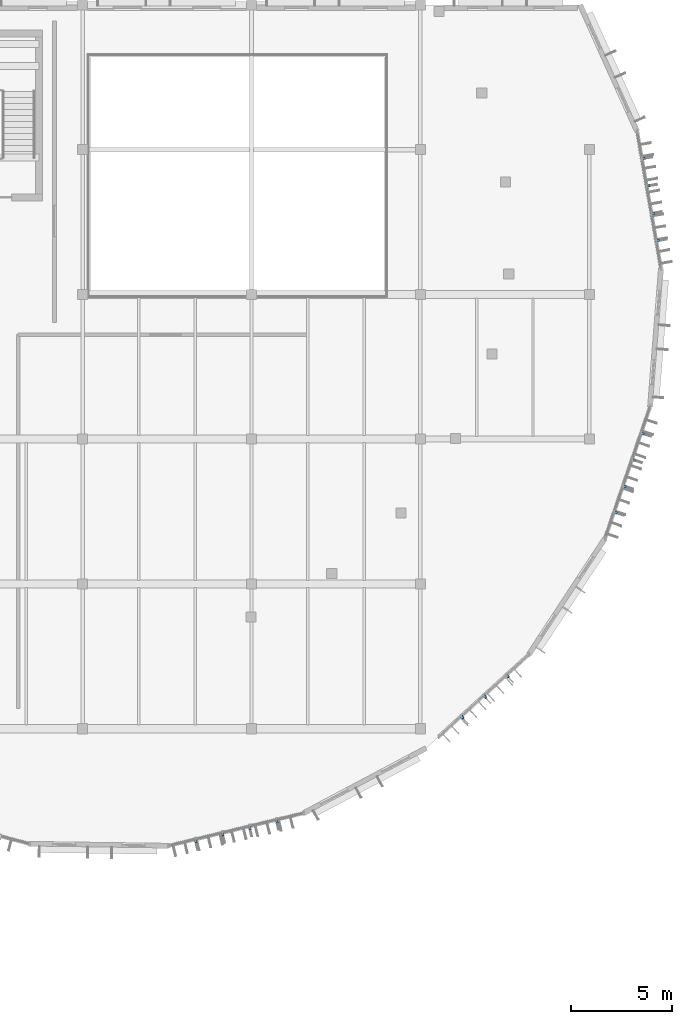
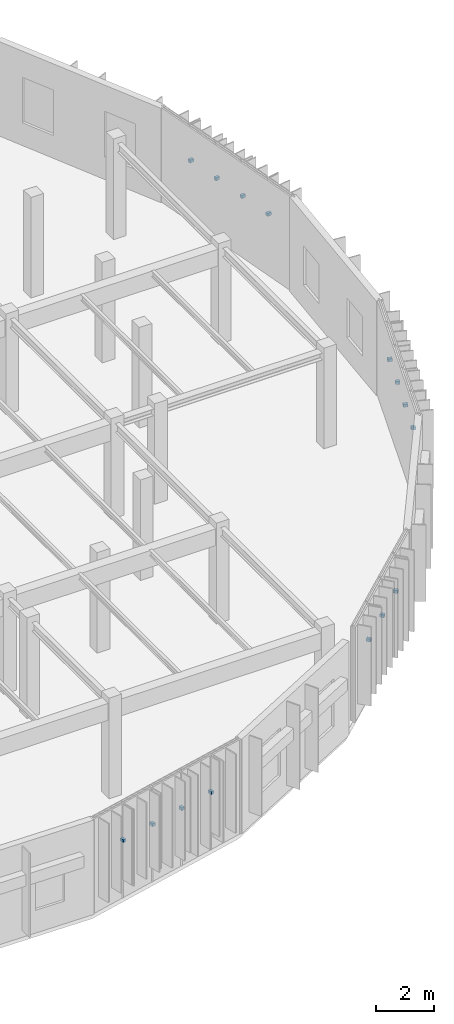
# One storey, part 58 of 122: 15 discrete accessories.
"""IFC4 building model written with IfcOpenShell, lengths in metres."""

import ifcopenshell
import ifcopenshell.guid

model = None  # the IFC model being written
_history = None  # IfcOwnerHistory: only IFC2X3 demands one
_inside = {}  # id of a spatial element -> (the spatial element, [elements in it])
_under = {}  # id of a project, library or spatial element -> (it, [spatial elements below it])
_declared = {}  # id of a project -> (the project, [libraries it declares])
_typed = {}  # id of a type object -> (the type object, [elements of that type])
_made_of = {}  # id of a material, layer set ... -> (it, [elements and type objects made of it])


def new_model(schema):
    """Start an empty IFC model of exactly this schema.

    Asked for "IFC4X3", IfcOpenShell would pick the latest addendum, in which some entities
    have other attributes; the version numbers below select the first issue.
    IFC2X3 requires an IfcOwnerHistory on every rooted entity: one is made here for all.
    """
    global model, _history
    if schema == "IFC4X3":
        model = ifcopenshell.file(schema_version=(4, 3, 0, 0))
    else:
        model = ifcopenshell.file(schema=schema)
    _inside.clear()
    _under.clear()
    _declared.clear()
    _typed.clear()
    _made_of.clear()
    _history = None
    if model.schema == "IFC2X3":
        org = make("IfcOrganization", Name="unknown")
        user = make(
            "IfcPersonAndOrganization",
            ThePerson=make("IfcPerson", FamilyName="unknown"),
            TheOrganization=org,
        )
        app = make(
            "IfcApplication",
            ApplicationDeveloper=org,
            Version="unknown",
            ApplicationFullName="unknown",
            ApplicationIdentifier="unknown",
        )
        _history = make(
            "IfcOwnerHistory",
            OwningUser=user,
            OwningApplication=app,
            ChangeAction="ADDED",
            CreationDate=0,
        )
    return model


def make(cls, **values):
    """One entity of the class cls with the attributes given. An attribute that is None is left unset."""
    return model.create_entity(
        cls, **{name: value for name, value in values.items() if value is not None}
    )


def rooted(cls, **values):
    """An entity with a GlobalId (a new one), such as an element, a storey or a relation."""
    return make(cls, GlobalId=ifcopenshell.guid.new(), OwnerHistory=_history, **values)


def si_unit(unit_type, name, prefix=None):
    """IfcSIUnit, for example si_unit("LENGTHUNIT", "METRE", prefix="MILLI")."""
    return make("IfcSIUnit", UnitType=unit_type, Prefix=prefix, Name=name)


def assignment(units):
    """IfcUnitAssignment: the units of a project."""
    return None if units is None else make("IfcUnitAssignment", Units=units)


def point(xyz):
    """IfcCartesianPoint."""
    return None if xyz is None else make("IfcCartesianPoint", Coordinates=xyz)


def direction(xyz):
    """IfcDirection."""
    return None if xyz is None else make("IfcDirection", DirectionRatios=xyz)


def frame(location, z_axis=None, x_axis=None):
    """IfcAxis2Placement3D, a coordinate frame: its origin and axes. An axis left out is left unset."""
    return make(
        "IfcAxis2Placement3D",
        Location=point(location),
        Axis=direction(z_axis),
        RefDirection=direction(x_axis),
    )


def frame_2d(location, x_axis=None):
    """IfcAxis2Placement2D, a coordinate frame in the plane: its origin and x axis."""
    return make(
        "IfcAxis2Placement2D", Location=point(location), RefDirection=direction(x_axis)
    )


def origin():
    """The frame at (0, 0, 0) with its axes left unset."""
    return frame((0.0, 0.0, 0.0))


def origin_2d():
    """The frame at (0, 0) in the plane with its x axis left unset."""
    return frame_2d((0.0, 0.0))


def place(relative_to, where):
    """IfcLocalPlacement: puts the frame where relative to a parent placement (None: the world)."""
    return make(
        "IfcLocalPlacement", PlacementRelTo=relative_to, RelativePlacement=where
    )


def context(
    kind, dimensions, precision=None, world=None, true_north=None, identifier=None
):
    """IfcGeometricRepresentationContext, for example the 3D "Model" context."""
    return make(
        "IfcGeometricRepresentationContext",
        ContextIdentifier=identifier,
        ContextType=kind,
        CoordinateSpaceDimension=dimensions,
        Precision=precision,
        WorldCoordinateSystem=world,
        TrueNorth=true_north,
    )


def subcontext(parent, identifier, kind, view, scale=None):
    """IfcGeometricRepresentationSubContext, for example "Body" below "Model"."""
    return make(
        "IfcGeometricRepresentationSubContext",
        ContextIdentifier=identifier,
        ContextType=kind,
        ParentContext=parent,
        TargetScale=scale,
        TargetView=view,
    )


def project(units=None, contexts=None):
    """IfcProject with its units and contexts."""
    return rooted(
        "IfcProject",
        Name="project",
        RepresentationContexts=contexts,
        UnitsInContext=assignment(units),
    )


def spatial(cls, under=None, at=None, **own):
    """A site, building, storey or space (cls), placed at a placement, below another one or the project."""
    s = rooted(cls, ObjectPlacement=at, **own)
    if under is not None:
        _under.setdefault(under.id(), (under, []))[1].append(s)
    return s


def profile(cls, at=None, kind="AREA", **sizes):
    """A parametric profile (cls). Its sizes go by their IFC names, for example OverallWidth=200.0."""
    return make(cls, ProfileType=kind, Position=at, **sizes)


def rectangle(**sizes):
    """IfcRectangleProfileDef."""
    return profile("IfcRectangleProfileDef", **sizes)


def extrude(swept, where, along, depth):
    """IfcExtrudedAreaSolid: the profile swept, set in the frame where, extruded along a direction by depth."""
    return make(
        "IfcExtrudedAreaSolid",
        SweptArea=swept,
        Position=where,
        ExtrudedDirection=direction(along),
        Depth=depth,
    )


def shape(context_of_items, identifier, shape_type, items):
    """IfcShapeRepresentation: the items that make up one representation, for example the "Body"."""
    return make(
        "IfcShapeRepresentation",
        ContextOfItems=context_of_items,
        RepresentationIdentifier=identifier,
        RepresentationType=shape_type,
        Items=items,
    )


def material(Name=None, Category=None):
    """IfcMaterial."""
    return make("IfcMaterial", Name=Name, Category=Category)


def made_of(thing, what):
    """Note that an element or type object is made of a material, layer set ...; save() writes the relation."""
    if what is not None:
        _made_of.setdefault(what.id(), (what, []))[1].append(thing)
    return thing


def type_object(cls, material=None, **own):
    """A type object (cls), such as IfcWallType, which elements share."""
    return made_of(rooted(cls, **own), material)


def element(
    cls,
    number,
    at=None,
    inside=None,
    cuts=None,
    type_object=None,
    material=None,
    context=None,
    identifier="Body",
    shape_type=None,
    held_by="IfcProductDefinitionShape",
    body=None,
    shapes=None,
    **own,
):
    """One element of the class cls, such as IfcWall. Its Tag is "e" and its number.

    at: its placement. inside: the storey or other place that contains it. cuts: it is an
    opening in that element (IfcRelVoidsElement). A single representation is given by context,
    identifier, shape_type and body (its items); several are given by shapes. held_by: the class
    of the entity that holds the representations. save() writes the other relations.
    """
    e = rooted(cls, Tag="e%d" % number, ObjectPlacement=at, **own)
    if body is not None:
        shapes = [shape(context, identifier, shape_type, body)]
    if shapes is not None:
        e.Representation = make(held_by, Representations=shapes)
    if inside is not None:
        _inside.setdefault(inside.id(), (inside, []))[1].append(e)
    if cuts is not None:
        rooted(
            "IfcRelVoidsElement", RelatingBuildingElement=cuts, RelatedOpeningElement=e
        )
    if type_object is not None:
        _typed.setdefault(type_object.id(), (type_object, []))[1].append(e)
    return made_of(e, material)


def aggregate(whole, parts):
    """IfcRelAggregates: a whole, such as a stair, and the parts it consists of."""
    return rooted("IfcRelAggregates", RelatingObject=whole, RelatedObjects=parts)


def save(model, path):
    """Write the relations noted so far, then the file.

    IfcRelAggregates (storeys below a building ...), IfcRelContainedInSpatialStructure (elements
    in a storey), IfcRelDefinesByType, IfcRelAssociatesMaterial and IfcRelDeclares: one each for
    every whole, place, type object, material and project.
    """
    for whole, parts in _under.values():
        aggregate(whole, parts)
    for where, things in _inside.values():
        rooted(
            "IfcRelContainedInSpatialStructure",
            RelatedElements=things,
            RelatingStructure=where,
        )
    for kind, things in _typed.values():
        rooted("IfcRelDefinesByType", RelatedObjects=things, RelatingType=kind)
    for what, things in _made_of.values():
        rooted("IfcRelAssociatesMaterial", RelatedObjects=things, RelatingMaterial=what)
    for by, libraries in _declared.values():
        rooted("IfcRelDeclares", RelatingContext=by, RelatedDefinitions=libraries)
    model.write(path)


model = new_model("IFC4")

# Units and contexts
model_context = context("Model", 3, precision=1e-05, world=origin(), true_north=direction((0.0, 1.0)))
body_context = subcontext(model_context, "Body", "Model", "MODEL_VIEW")
ifc_project = project(units=[si_unit("LENGTHUNIT", "METRE"), si_unit("AREAUNIT", "SQUARE_METRE"), si_unit("VOLUMEUNIT", "CUBIC_METRE"), si_unit("PLANEANGLEUNIT", "RADIAN"), si_unit("MASSUNIT", "GRAM", prefix="KILO")], contexts=[model_context])

# Site, building, storey
site_placement = place(None, origin())
site = spatial("IfcSite", under=ifc_project, at=site_placement, CompositionType="ELEMENT")
building_placement = place(site_placement, origin())
building = spatial("IfcBuilding", under=site, at=building_placement, Name="Tazoul Stagehouse", CompositionType="ELEMENT")
storey_placement = place(building_placement, frame((0.0, 0.0, 4.800048828125)))
storey = spatial("IfcBuildingStorey", under=building, at=storey_placement, Name="L01", CompositionType="ELEMENT", Elevation=4.800048828125)

# Discrete accessories
ifc_material = material(Name="Austenitic Stainless Steel EN 1.4401", Category="steel")
discrete_accessory_type = type_object("IfcDiscreteAccessoryType", Name="Stainless Steel Louvre Support Cleat Bracket", PredefinedType="BRACKET", material=ifc_material)
for number, where, z_axis, x_axis, name in (
    (1, (139.430908203125, 17.417724609375, 2.3486328125), (0.0, 0.0, 1.0), (0.972063098492, 0.234719689311, 0.0), "Cleat Bracket BRK-01 CW-V4-DRUM-L01-S03-BRK01"),
    (2, (140.774169921875, 17.7421875, 2.3486328125), (0.0, 0.0, 1.0), (0.972063098492, 0.234719689311, 0.0), "Cleat Bracket BRK-01 CW-V4-DRUM-L01-S03-BRK02"),
    (3, (142.11767578125, 18.06640625, 2.3486328125), (0.0, 0.0, 1.0), (0.972063098492, 0.234719689311, 0.0), "Cleat Bracket BRK-01 CW-V4-DRUM-L01-S03-BRK03"),
    (4, (143.461181640625, 18.390869140625, 2.3486328125), (0.0, 0.0, 1.0), (0.972063098492, 0.234719689311, 0.0), "Cleat Bracket BRK-01 CW-V4-DRUM-L01-S03-BRK04"),
    (5, (152.686279296875, 23.56201171875, 2.3486328125), (0.0, 0.0, 1.0), (0.739146956888, 0.673544190178, 0.0), "Cleat Bracket BRK-01 CW-V4-DRUM-L01-S05-BRK01"),
    (6, (153.80810546875, 24.583984375, 2.3486328125), (0.0, 0.0, 1.0), (0.739146956888, 0.673544190178, 0.0), "Cleat Bracket BRK-01 CW-V4-DRUM-L01-S05-BRK02"),
    (7, (154.9296875, 25.606201171875, 2.3486328125), (0.0, 0.0, 1.0), (0.739146956888, 0.673544190178, 0.0), "Cleat Bracket BRK-01 CW-V4-DRUM-L01-S05-BRK03"),
    (8, (160.312255859375, 33.746337890625, 2.3486328125), (0.0, 0.0, 1.0), (0.323785316605, 0.946130577009, 0.0), "Cleat Bracket BRK-01 CW-V4-DRUM-L01-S07-BRK01"),
    (9, (160.759765625, 35.053955078125, 2.3486328125), (0.0, 0.0, 1.0), (0.323785316605, 0.946130577009, 0.0), "Cleat Bracket BRK-01 CW-V4-DRUM-L01-S07-BRK02"),
    (10, (161.207275390625, 36.361572265625, 2.3486328125), (0.0, 0.0, 1.0), (0.323785316605, 0.946130577009, 0.0), "Cleat Bracket BRK-01 CW-V4-DRUM-L01-S07-BRK03"),
    (11, (161.65478515625, 37.669189453125, 2.3486328125), (0.0, 0.0, 1.0), (0.323785316605, 0.946130577009, 0.0), "Cleat Bracket BRK-01 CW-V4-DRUM-L01-S07-BRK04"),
    (12, (162.41162109375, 47.26708984375, 2.3486328125), (0.0, 0.0, 1.0), (-0.171495809953, 0.985184849238, 0.0), "Cleat Bracket BRK-01 CW-V4-DRUM-L01-S09-BRK01"),
    (13, (162.174560546875, 48.628662109375, 2.3486328125), (0.0, 0.0, 1.0), (-0.171495809953, 0.985184849238, 0.0), "Cleat Bracket BRK-01 CW-V4-DRUM-L01-S09-BRK02"),
    (14, (161.9375, 49.990234375, 2.3486328125), (0.0, 0.0, 1.0), (-0.171495809953, 0.985184849238, 0.0), "Cleat Bracket BRK-01 CW-V4-DRUM-L01-S09-BRK03"),
    (15, (161.700439453125, 51.351806640625, 2.3486328125), (0.0, 0.0, 1.0), (-0.171495809953, 0.985184849238, 0.0), "Cleat Bracket BRK-01 CW-V4-DRUM-L01-S09-BRK04"),
):
    element("IfcDiscreteAccessory", number, at=place(storey_placement, frame(where, z_axis=z_axis, x_axis=x_axis)), inside=storey, type_object=discrete_accessory_type, Name=name, PredefinedType="BRACKET", context=body_context, shape_type="SweptSolid", body=[
        extrude(rectangle(XDim=0.1201171875, YDim=0.159912109375, at=origin_2d()), origin(), (0.0, 0.0, 1.0), 0.1201171875),
    ])

save(model, "model.ifc")
